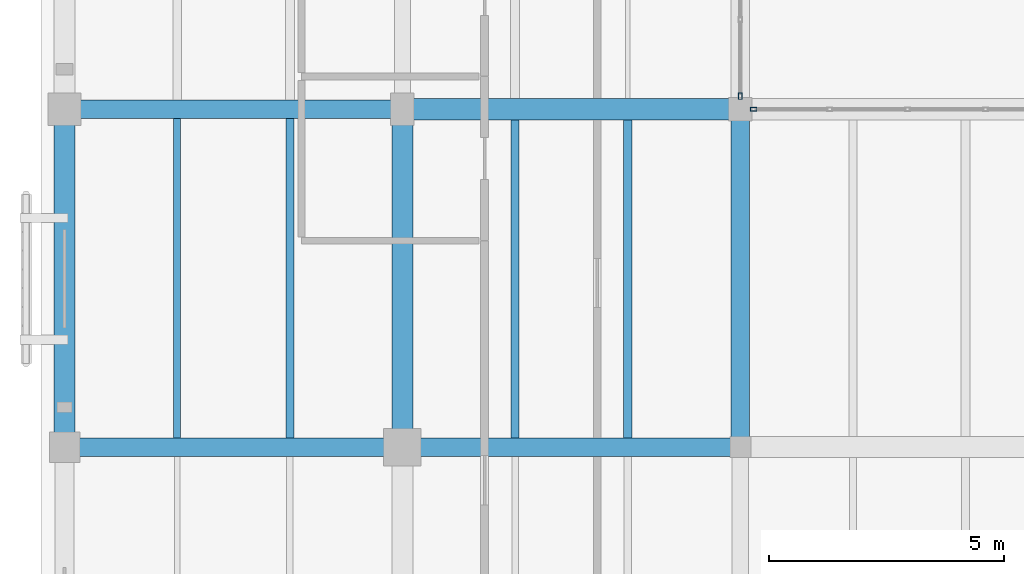
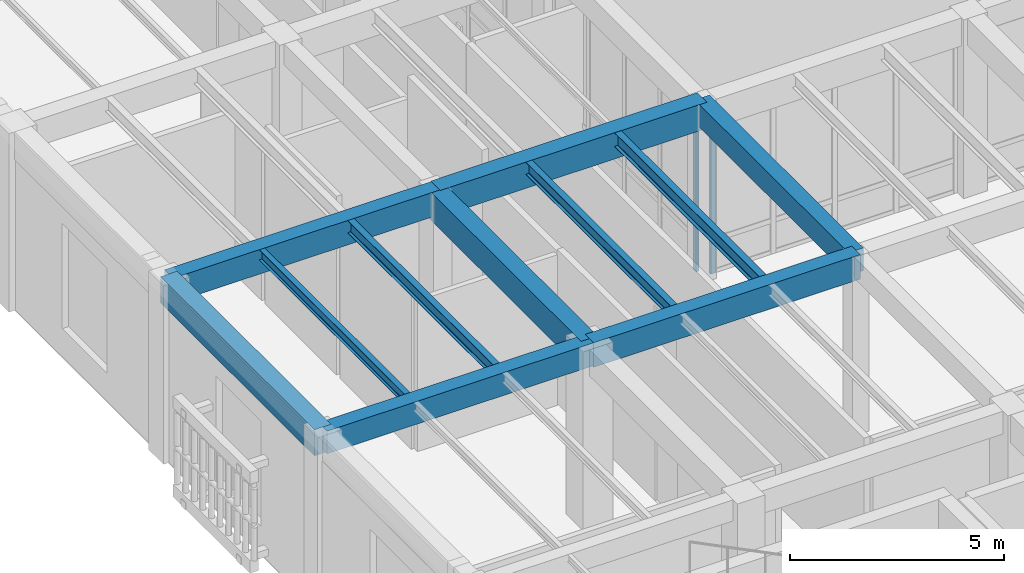
# One storey, part 25 of 169: 11 beams, 2 members, 2 elements without a shape of their own.
"""IFC4 building model written with IfcOpenShell, lengths in metres."""

from ifc_helpers import new_model, si_unit, direction, frame, origin, origin_2d, place, context, subcontext, project, spatial, rectangle, hollow_rectangle, i_section, extrude, material, layer, layer_set, material_profile, profile_set, type_object, element, aggregate, save


model = new_model("IFC4")

# Units and contexts
model_context = context("Model", 3, precision=1e-05, world=origin(), true_north=direction((0.0, 1.0)))
body_context = subcontext(model_context, "Body", "Model", "MODEL_VIEW")
ifc_project = project(units=[si_unit("LENGTHUNIT", "METRE"), si_unit("AREAUNIT", "SQUARE_METRE"), si_unit("VOLUMEUNIT", "CUBIC_METRE"), si_unit("PLANEANGLEUNIT", "RADIAN"), si_unit("MASSUNIT", "GRAM", prefix="KILO")], contexts=[model_context])

# Site, building, storey
site_placement = place(None, origin())
site = spatial("IfcSite", under=ifc_project, at=site_placement, CompositionType="ELEMENT")
building_placement = place(site_placement, origin())
building = spatial("IfcBuilding", under=site, at=building_placement, Name="Mazaris Harbour Polytechnic", CompositionType="ELEMENT")
storey_placement = place(building_placement, origin())
storey = spatial("IfcBuildingStorey", under=building, at=storey_placement, Name="L00", CompositionType="ELEMENT", Elevation=0.0)

# Curtain wall, member
ifc_material_1 = material(Name="Anodised Bronze Aluminium and Low-E Glass", Category="aluminium")
ifc_layer = layer(ifc_material_1, 0.159912109375, Name="Anodised Bronze Aluminium and Low-E Glass")
ifc_layer_set = layer_set([ifc_layer], Name="Anodised Bronze Aluminium and Low-E Glass")
curtain_wall_type = type_object("IfcCurtainWallType", Name="Cloister Court Curtain Wall", PredefinedType="NOTDEFINED", material=ifc_layer_set)
curtain_wall_1_placement = place(storey_placement, origin())
curtain_wall_1 = element("IfcCurtainWall", 1, at=curtain_wall_1_placement, inside=storey, type_object=curtain_wall_type, Name="V4 L00 Curtain Wall 99", PredefinedType="NOTDEFINED")
ifc_material_2 = material(Name="Anodised Bronze Steel S355", Category="steel")
ifc_material_profile_1 = material_profile(ifc_material_2, hollow_rectangle(XDim=0.080078125, YDim=0.139892578125, WallThickness=0.00634765625, at=origin_2d()), Name="RHS 80x140x6.3")
ifc_profile_set_1 = profile_set([ifc_material_profile_1], Name="Anodised Bronze Steel S355")
member_type = type_object("IfcMemberType", Name="Curtain Mullion RHS80x140", PredefinedType="MULLION", material=ifc_profile_set_1)
member_1_placement = place(storey_placement, frame((14.681884765625, 36.0, 0.0), z_axis=(0.0, 0.0, 1.0), x_axis=(0.0, 1.0, 0.0)))
member_1 = element("IfcMember", 2, at=member_1_placement, type_object=member_type, Name="CW-02 mullion 1", PredefinedType="MULLION", context=body_context, shape_type="SweptSolid", body=[
    extrude(hollow_rectangle(XDim=0.080078125, YDim=0.139892578125, WallThickness=0.00634765625, at=origin_2d()), origin(), (0.0, 0.0, 1.0), 4.2900390625),
])
aggregate(curtain_wall_1, [member_1])

curtain_wall_2_placement = place(storey_placement, origin())
curtain_wall_2 = element("IfcCurtainWall", 3, at=curtain_wall_2_placement, inside=storey, type_object=curtain_wall_type, Name="V4 L00 Curtain Wall 103", PredefinedType="NOTDEFINED")
member_2_placement = place(storey_placement, frame((14.39990234375, 36.281982421875, 0.0), z_axis=(0.0, 0.0, 1.0), x_axis=(-1.0, 0.0, 0.0)))
member_2 = element("IfcMember", 4, at=member_2_placement, type_object=member_type, Name="CW-02 mullion 1", PredefinedType="MULLION", context=body_context, shape_type="SweptSolid", body=[
    extrude(hollow_rectangle(XDim=0.080078125, YDim=0.139892578125, WallThickness=0.00634765625, at=origin_2d()), origin(), (0.0, 0.0, 1.0), 4.389892578125),
])
aggregate(curtain_wall_2, [member_2])

# Beams
ifc_material_3 = material(Name="Concrete C35/45", Category="concrete")
ifc_material_profile_2 = material_profile(ifc_material_3, rectangle(XDim=0.39990234375, YDim=0.64990234375, at=origin_2d()), Name="RECT400x650")
ifc_profile_set_2 = profile_set([ifc_material_profile_2], Name="Concrete C35/45")
beam_type_1 = type_object("IfcBeamType", Name="RC Girder 400x650", PredefinedType="BEAM", material=ifc_profile_set_2)
for number, where, z_axis, x_axis, name in (
    (5, (0.0, 28.800048828125, 4.77490234375), (1.0, 0.0, 0.0), (0.0, 1.0, 0.0), "V4 L00 Girder 1371"),
    (6, (14.39990234375, 28.800048828125, 4.77490234375), (0.0, 1.0, 0.0), (-1.0, 0.0, 0.0), "V4 L00 Tie Girder 1451"),
):
    element("IfcBeam", number, at=place(storey_placement, frame(where, z_axis=z_axis, x_axis=x_axis)), inside=storey, type_object=beam_type_1, Name=name, PredefinedType="BEAM", context=body_context, shape_type="SweptSolid", body=[
        extrude(rectangle(XDim=0.39990234375, YDim=0.64990234375, at=origin_2d()), origin(), (0.0, 0.0, 1.0), 7.199951171875),
    ])
ifc_material_4 = material(Name="Concrete C35/45", Category="concrete")
ifc_material_profile_3 = material_profile(ifc_material_4, rectangle(XDim=0.39990234375, YDim=0.699951171875, at=origin_2d()), Name="RECT400x700")
ifc_profile_set_3 = profile_set([ifc_material_profile_3], Name="Concrete C35/45")
beam_type_2 = type_object("IfcBeamType", Name="RC Girder 400x700", PredefinedType="BEAM", material=ifc_profile_set_3)
for number, where, z_axis, x_axis, name in (
    (7, (7.199951171875, 28.800048828125, 4.75), (1.0, 0.0, 0.0), (0.0, 1.0, 0.0), "V4 L00 Girder 1372"),
    (8, (0.0, 36.0, 4.75), (1.0, 0.0, 0.0), (0.0, 1.0, 0.0), "V4 L00 Girder 1377"),
):
    element("IfcBeam", number, at=place(storey_placement, frame(where, z_axis=z_axis, x_axis=x_axis)), inside=storey, type_object=beam_type_2, Name=name, PredefinedType="BEAM", context=body_context, shape_type="SweptSolid", body=[
        extrude(rectangle(XDim=0.39990234375, YDim=0.699951171875, at=origin_2d()), origin(), (0.0, 0.0, 1.0), 7.199951171875),
    ])
ifc_material_5 = material(Name="Concrete C40/50", Category="concrete")
ifc_material_profile_4 = material_profile(ifc_material_5, rectangle(XDim=0.449951171875, YDim=0.75, at=origin_2d()), Name="RECT450x750")
ifc_profile_set_4 = profile_set([ifc_material_profile_4], Name="Concrete C40/50")
beam_type_3 = type_object("IfcBeamType", Name="RC Girder 450x750", PredefinedType="BEAM", material=ifc_profile_set_4)
beam_1_placement = place(storey_placement, frame((7.199951171875, 36.0, 4.72509765625), z_axis=(1.0, 0.0, 0.0), x_axis=(0.0, 1.0, 0.0)))
element("IfcBeam", 9, at=beam_1_placement, inside=storey, type_object=beam_type_3, Name="V4 L00 Girder 1378", PredefinedType="BEAM", context=body_context, shape_type="SweptSolid", body=[
    extrude(rectangle(XDim=0.449951171875, YDim=0.75, at=origin_2d()), origin(), (0.0, 0.0, 1.0), 7.199951171875),
])
ifc_material_6 = material(Name="Concrete C40/50", Category="concrete")
ifc_material_profile_5 = material_profile(ifc_material_6, rectangle(XDim=0.449951171875, YDim=0.75, at=origin_2d()), Name="RECT450x750")
ifc_profile_set_5 = profile_set([ifc_material_profile_5], Name="Concrete C40/50")
beam_type_4 = type_object("IfcBeamType", Name="RC Girder 450x750 Exterior", PredefinedType="BEAM", material=ifc_profile_set_5)
beam_2_placement = place(storey_placement, frame((0.0, 28.800048828125, 4.72509765625), z_axis=(0.0, 1.0, 0.0), x_axis=(-1.0, 0.0, 0.0)))
element("IfcBeam", 10, at=beam_2_placement, inside=storey, type_object=beam_type_4, Name="V4 L00 Tie Girder 1428", PredefinedType="BEAM", context=body_context, shape_type="SweptSolid", body=[
    extrude(rectangle(XDim=0.449951171875, YDim=0.75, at=origin_2d()), origin(), (0.0, 0.0, 1.0), 7.199951171875),
])
ifc_material_7 = material(Name="Concrete C40/50", Category="concrete")
ifc_material_profile_6 = material_profile(ifc_material_7, rectangle(XDim=0.449951171875, YDim=0.800048828125, at=origin_2d()), Name="RECT450x800")
ifc_profile_set_6 = profile_set([ifc_material_profile_6], Name="Concrete C40/50")
beam_type_5 = type_object("IfcBeamType", Name="RC Girder 450x800", PredefinedType="BEAM", material=ifc_profile_set_6)
beam_3_placement = place(storey_placement, frame((7.199951171875, 28.800048828125, 4.699951171875), z_axis=(0.0, 1.0, 0.0), x_axis=(-1.0, 0.0, 0.0)))
element("IfcBeam", 11, at=beam_3_placement, inside=storey, type_object=beam_type_5, Name="V4 L00 Tie Girder 1439", PredefinedType="BEAM", context=body_context, shape_type="SweptSolid", body=[
    extrude(rectangle(XDim=0.449951171875, YDim=0.800048828125, at=origin_2d()), origin(), (0.0, 0.0, 1.0), 7.199951171875),
])
ifc_material_8 = material(Name="Steel S355", Category="steel")
ifc_material_profile_7 = material_profile(ifc_material_8, i_section(OverallWidth=0.14990234375, OverallDepth=0.300048828125, WebThickness=0.007080078125, FlangeThickness=0.0107421875, FilletRadius=0.014892578125, at=origin_2d()), Name="IPE 300")
ifc_profile_set_7 = profile_set([ifc_material_profile_7], Name="Steel S355")
beam_type_6 = type_object("IfcBeamType", Name="Steel Joist IPE300", PredefinedType="JOIST", material=ifc_profile_set_7)
beam_4_placement = place(storey_placement, frame((2.39990234375, 29.0, 4.949951171875), z_axis=(0.0, 1.0, 0.0), x_axis=(-1.0, 0.0, 0.0)))
element("IfcBeam", 12, at=beam_4_placement, inside=storey, type_object=beam_type_6, Name="V4 L00 Floor Joist 1508", PredefinedType="JOIST", context=body_context, shape_type="SweptSolid", body=[
    extrude(i_section(OverallWidth=0.14990234375, OverallDepth=0.300048828125, WebThickness=0.007080078125, FlangeThickness=0.0107421875, FilletRadius=0.014892578125, at=origin_2d()), origin(), (0.0, 0.0, 1.0), 6.800048828125),
])
ifc_material_9 = material(Name="Steel S355", Category="steel")
ifc_material_profile_8 = material_profile(ifc_material_9, i_section(OverallWidth=0.169921875, OverallDepth=0.360107421875, WebThickness=0.008056640625, FlangeThickness=0.0126953125, FilletRadius=0.01806640625, at=origin_2d()), Name="IPE 360")
ifc_profile_set_8 = profile_set([ifc_material_profile_8], Name="Steel S355")
beam_type_7 = type_object("IfcBeamType", Name="Steel Joist IPE360", PredefinedType="JOIST", material=ifc_profile_set_8)
beam_5_placement = place(storey_placement, frame((4.800048828125, 29.0, 4.919921875), z_axis=(0.0, 1.0, 0.0), x_axis=(-1.0, 0.0, 0.0)))
element("IfcBeam", 13, at=beam_5_placement, inside=storey, type_object=beam_type_7, Name="V4 L00 Floor Joist 1509", PredefinedType="JOIST", context=body_context, shape_type="SweptSolid", body=[
    extrude(i_section(OverallWidth=0.169921875, OverallDepth=0.360107421875, WebThickness=0.008056640625, FlangeThickness=0.0126953125, FilletRadius=0.01806640625, at=origin_2d()), origin(), (0.0, 0.0, 1.0), 6.800048828125),
])
beam_6_placement = place(storey_placement, frame((9.60009765625, 29.0, 4.919921875), z_axis=(0.0, 1.0, 0.0), x_axis=(-1.0, 0.0, 0.0)))
element("IfcBeam", 14, at=beam_6_placement, inside=storey, type_object=beam_type_7, Name="V4 L00 Floor Joist 1530", PredefinedType="JOIST", context=body_context, shape_type="SweptSolid", body=[
    extrude(i_section(OverallWidth=0.169921875, OverallDepth=0.360107421875, WebThickness=0.008056640625, FlangeThickness=0.0126953125, FilletRadius=0.01806640625, at=origin_2d()), origin(), (0.0, 0.0, 1.0), 6.77490234375),
])
ifc_material_10 = material(Name="Steel S355", Category="steel")
ifc_material_profile_9 = material_profile(ifc_material_10, i_section(OverallWidth=0.179931640625, OverallDepth=0.39990234375, WebThickness=0.008544921875, FlangeThickness=0.013427734375, FilletRadius=0.02099609375, at=origin_2d()), Name="IPE 400")
ifc_profile_set_9 = profile_set([ifc_material_profile_9], Name="Steel S355")
beam_type_8 = type_object("IfcBeamType", Name="Steel Joist IPE400", PredefinedType="JOIST", material=ifc_profile_set_9)
beam_7_placement = place(storey_placement, frame((12.0, 29.0, 4.89990234375), z_axis=(0.0, 1.0, 0.0), x_axis=(-1.0, 0.0, 0.0)))
element("IfcBeam", 15, at=beam_7_placement, inside=storey, type_object=beam_type_8, Name="V4 L00 Floor Joist 1531", PredefinedType="JOIST", context=body_context, shape_type="SweptSolid", body=[
    extrude(i_section(OverallWidth=0.179931640625, OverallDepth=0.39990234375, WebThickness=0.008544921875, FlangeThickness=0.013427734375, FilletRadius=0.02099609375, at=origin_2d()), origin(), (0.0, 0.0, 1.0), 6.77490234375),
])

save(model, "model.ifc")
